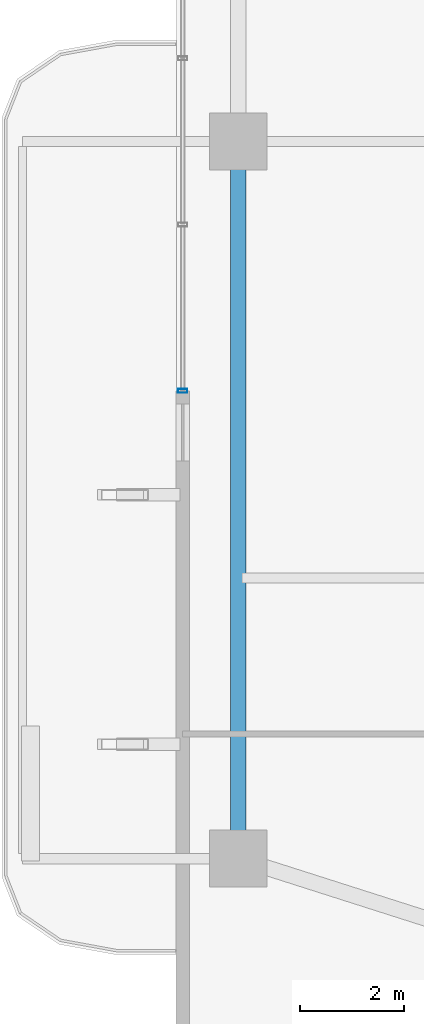
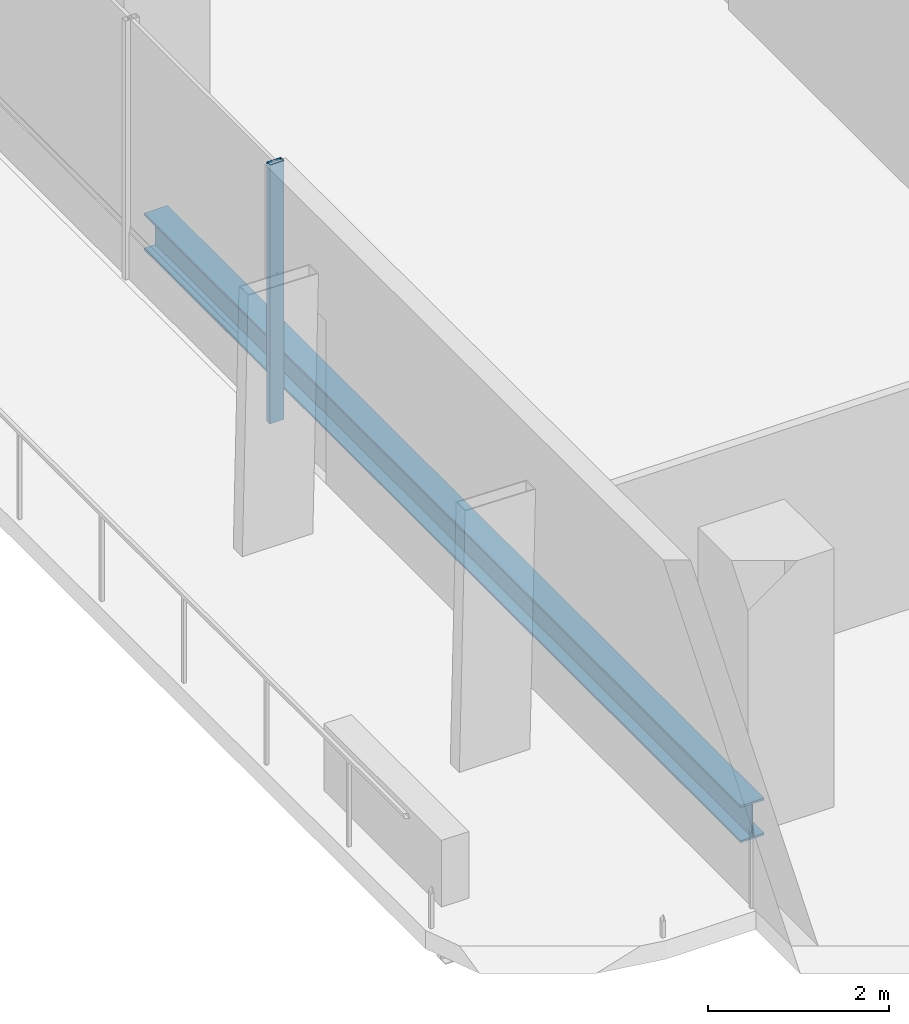
# One storey, part 4 of 24: 1 beam, 1 member, 1 element without a shape of its own.
"""IFC4 building model written with IfcOpenShell, lengths in metres."""

import ifcopenshell
import ifcopenshell.guid

model = None  # the IFC model being written
_history = None  # IfcOwnerHistory: only IFC2X3 demands one
_inside = {}  # id of a spatial element -> (the spatial element, [elements in it])
_under = {}  # id of a project, library or spatial element -> (it, [spatial elements below it])
_declared = {}  # id of a project -> (the project, [libraries it declares])
_typed = {}  # id of a type object -> (the type object, [elements of that type])
_made_of = {}  # id of a material, layer set ... -> (it, [elements and type objects made of it])


def new_model(schema):
    """Start an empty IFC model of exactly this schema.

    Asked for "IFC4X3", IfcOpenShell would pick the latest addendum, in which some entities
    have other attributes; the version numbers below select the first issue.
    IFC2X3 requires an IfcOwnerHistory on every rooted entity: one is made here for all.
    """
    global model, _history
    if schema == "IFC4X3":
        model = ifcopenshell.file(schema_version=(4, 3, 0, 0))
    else:
        model = ifcopenshell.file(schema=schema)
    _inside.clear()
    _under.clear()
    _declared.clear()
    _typed.clear()
    _made_of.clear()
    _history = None
    if model.schema == "IFC2X3":
        org = make("IfcOrganization", Name="unknown")
        user = make(
            "IfcPersonAndOrganization",
            ThePerson=make("IfcPerson", FamilyName="unknown"),
            TheOrganization=org,
        )
        app = make(
            "IfcApplication",
            ApplicationDeveloper=org,
            Version="unknown",
            ApplicationFullName="unknown",
            ApplicationIdentifier="unknown",
        )
        _history = make(
            "IfcOwnerHistory",
            OwningUser=user,
            OwningApplication=app,
            ChangeAction="ADDED",
            CreationDate=0,
        )
    return model


def make(cls, **values):
    """One entity of the class cls with the attributes given. An attribute that is None is left unset."""
    return model.create_entity(
        cls, **{name: value for name, value in values.items() if value is not None}
    )


def rooted(cls, **values):
    """An entity with a GlobalId (a new one), such as an element, a storey or a relation."""
    return make(cls, GlobalId=ifcopenshell.guid.new(), OwnerHistory=_history, **values)


def si_unit(unit_type, name, prefix=None):
    """IfcSIUnit, for example si_unit("LENGTHUNIT", "METRE", prefix="MILLI")."""
    return make("IfcSIUnit", UnitType=unit_type, Prefix=prefix, Name=name)


def assignment(units):
    """IfcUnitAssignment: the units of a project."""
    return None if units is None else make("IfcUnitAssignment", Units=units)


def point(xyz):
    """IfcCartesianPoint."""
    return None if xyz is None else make("IfcCartesianPoint", Coordinates=xyz)


def direction(xyz):
    """IfcDirection."""
    return None if xyz is None else make("IfcDirection", DirectionRatios=xyz)


def frame(location, z_axis=None, x_axis=None):
    """IfcAxis2Placement3D, a coordinate frame: its origin and axes. An axis left out is left unset."""
    return make(
        "IfcAxis2Placement3D",
        Location=point(location),
        Axis=direction(z_axis),
        RefDirection=direction(x_axis),
    )


def frame_2d(location, x_axis=None):
    """IfcAxis2Placement2D, a coordinate frame in the plane: its origin and x axis."""
    return make(
        "IfcAxis2Placement2D", Location=point(location), RefDirection=direction(x_axis)
    )


def origin():
    """The frame at (0, 0, 0) with its axes left unset."""
    return frame((0.0, 0.0, 0.0))


def origin_2d():
    """The frame at (0, 0) in the plane with its x axis left unset."""
    return frame_2d((0.0, 0.0))


def place(relative_to, where):
    """IfcLocalPlacement: puts the frame where relative to a parent placement (None: the world)."""
    return make(
        "IfcLocalPlacement", PlacementRelTo=relative_to, RelativePlacement=where
    )


def context(
    kind, dimensions, precision=None, world=None, true_north=None, identifier=None
):
    """IfcGeometricRepresentationContext, for example the 3D "Model" context."""
    return make(
        "IfcGeometricRepresentationContext",
        ContextIdentifier=identifier,
        ContextType=kind,
        CoordinateSpaceDimension=dimensions,
        Precision=precision,
        WorldCoordinateSystem=world,
        TrueNorth=true_north,
    )


def subcontext(parent, identifier, kind, view, scale=None):
    """IfcGeometricRepresentationSubContext, for example "Body" below "Model"."""
    return make(
        "IfcGeometricRepresentationSubContext",
        ContextIdentifier=identifier,
        ContextType=kind,
        ParentContext=parent,
        TargetScale=scale,
        TargetView=view,
    )


def project(units=None, contexts=None):
    """IfcProject with its units and contexts."""
    return rooted(
        "IfcProject",
        Name="project",
        RepresentationContexts=contexts,
        UnitsInContext=assignment(units),
    )


def spatial(cls, under=None, at=None, **own):
    """A site, building, storey or space (cls), placed at a placement, below another one or the project."""
    s = rooted(cls, ObjectPlacement=at, **own)
    if under is not None:
        _under.setdefault(under.id(), (under, []))[1].append(s)
    return s


def profile(cls, at=None, kind="AREA", **sizes):
    """A parametric profile (cls). Its sizes go by their IFC names, for example OverallWidth=200.0."""
    return make(cls, ProfileType=kind, Position=at, **sizes)


def hollow_rectangle(**sizes):
    """IfcRectangleHollowProfileDef."""
    return profile("IfcRectangleHollowProfileDef", **sizes)


def i_section(**sizes):
    """IfcIShapeProfileDef."""
    return profile("IfcIShapeProfileDef", **sizes)


def extrude(swept, where, along, depth):
    """IfcExtrudedAreaSolid: the profile swept, set in the frame where, extruded along a direction by depth."""
    return make(
        "IfcExtrudedAreaSolid",
        SweptArea=swept,
        Position=where,
        ExtrudedDirection=direction(along),
        Depth=depth,
    )


def shape(context_of_items, identifier, shape_type, items):
    """IfcShapeRepresentation: the items that make up one representation, for example the "Body"."""
    return make(
        "IfcShapeRepresentation",
        ContextOfItems=context_of_items,
        RepresentationIdentifier=identifier,
        RepresentationType=shape_type,
        Items=items,
    )


def material(Name=None, Category=None):
    """IfcMaterial."""
    return make("IfcMaterial", Name=Name, Category=Category)


def layer(
    of_material, thickness, ventilated=None, Name=None, Category=None, Priority=None
):
    """IfcMaterialLayer: one layer of a wall or slab, of a material (None: an air gap)."""
    return make(
        "IfcMaterialLayer",
        Material=of_material,
        LayerThickness=thickness,
        IsVentilated=ventilated,
        Name=Name,
        Category=Category,
        Priority=Priority,
    )


def layer_set(layers, Name=None):
    """IfcMaterialLayerSet."""
    return make("IfcMaterialLayerSet", MaterialLayers=layers, LayerSetName=Name)


def material_profile(
    of_material, cross_section, Name=None, Category=None, Priority=None
):
    """IfcMaterialProfile: a cross section and its material."""
    return make(
        "IfcMaterialProfile",
        Name=Name,
        Material=of_material,
        Profile=cross_section,
        Priority=Priority,
        Category=Category,
    )


def profile_set(profiles, Name=None, composite=None):
    """IfcMaterialProfileSet."""
    return make(
        "IfcMaterialProfileSet",
        Name=Name,
        MaterialProfiles=profiles,
        CompositeProfile=composite,
    )


def made_of(thing, what):
    """Note that an element or type object is made of a material, layer set ...; save() writes the relation."""
    if what is not None:
        _made_of.setdefault(what.id(), (what, []))[1].append(thing)
    return thing


def type_object(cls, material=None, **own):
    """A type object (cls), such as IfcWallType, which elements share."""
    return made_of(rooted(cls, **own), material)


def element(
    cls,
    number,
    at=None,
    inside=None,
    cuts=None,
    type_object=None,
    material=None,
    context=None,
    identifier="Body",
    shape_type=None,
    held_by="IfcProductDefinitionShape",
    body=None,
    shapes=None,
    **own,
):
    """One element of the class cls, such as IfcWall. Its Tag is "e" and its number.

    at: its placement. inside: the storey or other place that contains it. cuts: it is an
    opening in that element (IfcRelVoidsElement). A single representation is given by context,
    identifier, shape_type and body (its items); several are given by shapes. held_by: the class
    of the entity that holds the representations. save() writes the other relations.
    """
    e = rooted(cls, Tag="e%d" % number, ObjectPlacement=at, **own)
    if body is not None:
        shapes = [shape(context, identifier, shape_type, body)]
    if shapes is not None:
        e.Representation = make(held_by, Representations=shapes)
    if inside is not None:
        _inside.setdefault(inside.id(), (inside, []))[1].append(e)
    if cuts is not None:
        rooted(
            "IfcRelVoidsElement", RelatingBuildingElement=cuts, RelatedOpeningElement=e
        )
    if type_object is not None:
        _typed.setdefault(type_object.id(), (type_object, []))[1].append(e)
    return made_of(e, material)


def aggregate(whole, parts):
    """IfcRelAggregates: a whole, such as a stair, and the parts it consists of."""
    return rooted("IfcRelAggregates", RelatingObject=whole, RelatedObjects=parts)


def save(model, path):
    """Write the relations noted so far, then the file.

    IfcRelAggregates (storeys below a building ...), IfcRelContainedInSpatialStructure (elements
    in a storey), IfcRelDefinesByType, IfcRelAssociatesMaterial and IfcRelDeclares: one each for
    every whole, place, type object, material and project.
    """
    for whole, parts in _under.values():
        aggregate(whole, parts)
    for where, things in _inside.values():
        rooted(
            "IfcRelContainedInSpatialStructure",
            RelatedElements=things,
            RelatingStructure=where,
        )
    for kind, things in _typed.values():
        rooted("IfcRelDefinesByType", RelatedObjects=things, RelatingType=kind)
    for what, things in _made_of.values():
        rooted("IfcRelAssociatesMaterial", RelatedObjects=things, RelatingMaterial=what)
    for by, libraries in _declared.values():
        rooted("IfcRelDeclares", RelatingContext=by, RelatedDefinitions=libraries)
    model.write(path)


model = new_model("IFC4")

# Units and contexts
model_context = context("Model", 3, precision=1e-05, world=origin(), true_north=direction((0.0, 1.0)))
body_context = subcontext(model_context, "Body", "Model", "MODEL_VIEW")
ifc_project = project(units=[si_unit("LENGTHUNIT", "METRE"), si_unit("AREAUNIT", "SQUARE_METRE"), si_unit("VOLUMEUNIT", "CUBIC_METRE"), si_unit("PLANEANGLEUNIT", "RADIAN"), si_unit("MASSUNIT", "GRAM", prefix="KILO")], contexts=[model_context])

# Site, building, storey
site_placement = place(None, origin())
site = spatial("IfcSite", under=ifc_project, at=site_placement, CompositionType="ELEMENT")
building_placement = place(site_placement, origin())
building = spatial("IfcBuilding", under=site, at=building_placement, Name="Belovzor Exchange Tower", CompositionType="ELEMENT")
storey_placement = place(building_placement, frame((0.0, 0.0, 168.300048828125)))
storey = spatial("IfcBuildingStorey", under=building, at=storey_placement, Name="L41", CompositionType="ELEMENT", Elevation=168.300048828125)

# Curtain wall, member
ifc_material_1 = material(Name="Anodised Aluminium Framing", Category="aluminium")
ifc_layer = layer(ifc_material_1, 0.179931640625)
ifc_layer_set = layer_set([ifc_layer], Name="Anodised Aluminium Framing")
curtain_wall_type = type_object("IfcCurtainWallType", Name="Recessed Loggia Low-Iron Triple-Glazed Curtain Wall", PredefinedType="NOTDEFINED", material=ifc_layer_set)
curtain_wall_placement = place(storey_placement, origin())
curtain_wall = element("IfcCurtainWall", 1, at=curtain_wall_placement, inside=storey, type_object=curtain_wall_type, Name="CW3 Recessed Loggia Low-Iron Triple-Glazed Curtain Wall L41", PredefinedType="NOTDEFINED")
ifc_material_2 = material(Name="Steel S355", Category="steel")
ifc_material_profile_1 = material_profile(ifc_material_2, hollow_rectangle(XDim=0.074951171875, YDim=0.179931640625, WallThickness=0.0048828125, at=origin_2d()))
ifc_profile_set_1 = profile_set([ifc_material_profile_1], Name="Steel S355")
member_type = type_object("IfcMemberType", Name="Thermally Broken Curtain Wall Mullion 180x75", PredefinedType="MULLION", material=ifc_profile_set_1)
member_placement = place(storey_placement, frame((4.6298828125, 24.0, 0.0), z_axis=(0.0, 0.0, 1.0), x_axis=(0.0, 1.0, 0.0)))
member = element("IfcMember", 2, at=member_placement, type_object=member_type, Name="CW-M180 Curtain Wall Mullion 1", PredefinedType="MULLION", context=body_context, shape_type="SweptSolid", body=[
    extrude(hollow_rectangle(XDim=0.074951171875, YDim=0.179931640625, WallThickness=0.0048828125, at=origin_2d()), origin(), (0.0, 0.0, 1.0), 3.494873046875),
])
aggregate(curtain_wall, [member])

# Beam
ifc_material_3 = material(Name="Steel S355", Category="steel")
ifc_material_profile_2 = material_profile(ifc_material_3, i_section(OverallWidth=0.300048828125, OverallDepth=0.5, WebThickness=0.014404296875, FlangeThickness=0.028076171875, at=origin_2d()))
ifc_profile_set_2 = profile_set([ifc_material_profile_2], Name="Steel S355")
beam_type = type_object("IfcBeamType", Name="Zone 3 Waist Primary Girder HEB 500", PredefinedType="BEAM", material=ifc_profile_set_2)
beam_placement = place(storey_placement, frame((5.699951171875, 28.498046875, -0.505126953125), z_axis=(0.0, -1.0, 0.0), x_axis=(1.0, 0.0, 0.0)))
element("IfcBeam", 3, at=beam_placement, inside=storey, type_object=beam_type, Name="FG-Z3 Zone 3 Waist Primary Girder HEB 500", PredefinedType="BEAM", context=body_context, shape_type="SweptSolid", body=[
    extrude(i_section(OverallWidth=0.300048828125, OverallDepth=0.5, WebThickness=0.014404296875, FlangeThickness=0.028076171875, at=origin_2d()), origin(), (0.0, 0.0, 1.0), 13.195068359375),
])

save(model, "model.ifc")
